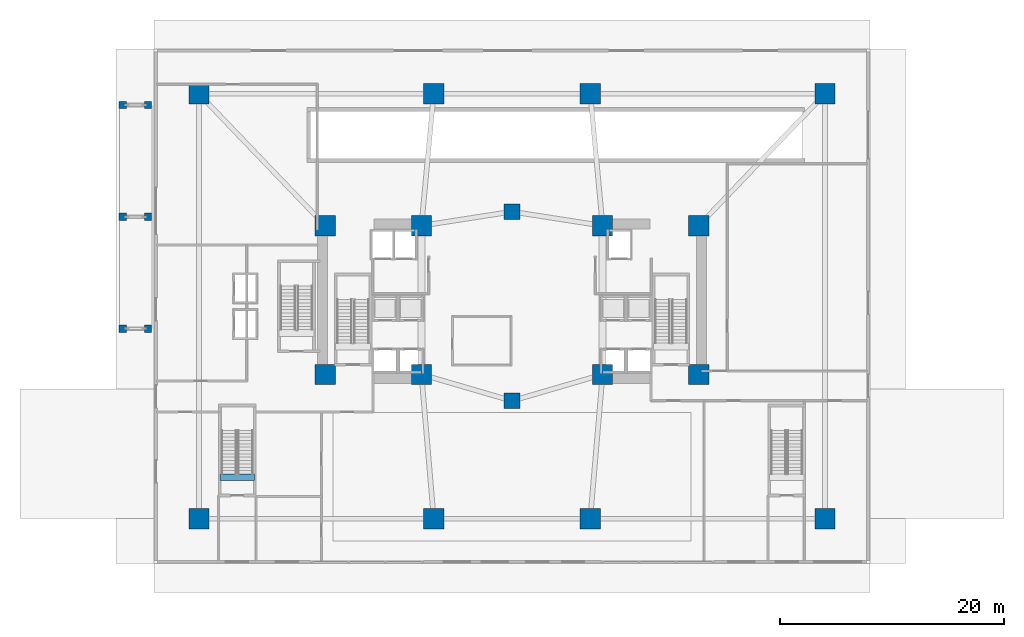
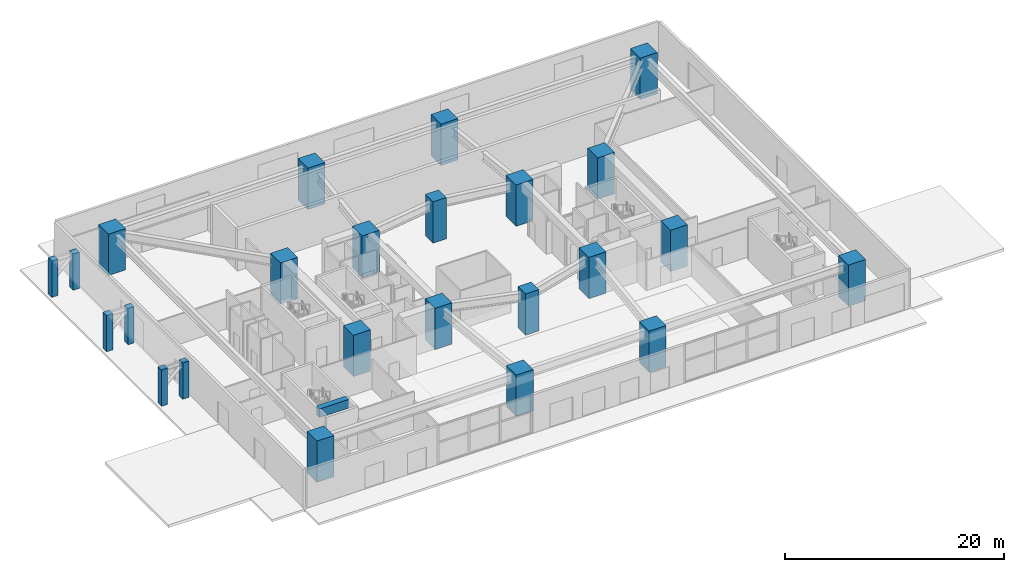
# One storey, part 1 of 18: 24 columns, 1 beam.
"""IFC4 building model written with IfcOpenShell, lengths in metres."""

from ifc_helpers import new_model, si_unit, direction, frame, origin, origin_2d, place, context, subcontext, project, spatial, rectangle, extrude, material, material_profile, profile_set, type_object, element, save


model = new_model("IFC4")

# Units and contexts
model_context = context("Model", 3, precision=1e-05, world=origin(), true_north=direction((0.0, 1.0)))
body_context = subcontext(model_context, "Body", "Model", "MODEL_VIEW")
ifc_project = project(units=[si_unit("LENGTHUNIT", "METRE"), si_unit("AREAUNIT", "SQUARE_METRE"), si_unit("VOLUMEUNIT", "CUBIC_METRE"), si_unit("PLANEANGLEUNIT", "RADIAN"), si_unit("MASSUNIT", "GRAM", prefix="KILO")], contexts=[model_context])

# Site, building, storey
site_placement = place(None, origin())
site = spatial("IfcSite", under=ifc_project, at=site_placement, CompositionType="ELEMENT")
building_placement = place(site_placement, origin())
building = spatial("IfcBuilding", under=site, at=building_placement, Name="Solvane Sanctuary Tower", CompositionType="ELEMENT")
storey_placement = place(building_placement, origin())
storey = spatial("IfcBuildingStorey", under=building, at=storey_placement, Name="L01", CompositionType="ELEMENT", Elevation=0.0)

# Columns
ifc_material_1 = material(Name="Concrete C50/60", Category="concrete")
ifc_material_profile_1 = material_profile(ifc_material_1, rectangle(XDim=0.64990234375, YDim=0.64990234375, at=origin_2d()), Name="RC650X650")
ifc_profile_set_1 = profile_set([ifc_material_profile_1], Name="Concrete C50/60")
column_type_1 = type_object("IfcColumnType", Name="Column C-COL-ARC RC650X650", PredefinedType="PILASTER", material=ifc_profile_set_1)
for number, where, z_axis, x_axis, name in (
    (1, (-2.800048828125, 21.0, 0.0), (0.0, 0.0, 1.0), (1.0, 0.0, 0.0), "L01 West Colonnade Outer Pilaster W1"),
    (2, (-0.550048828125, 21.0, 0.0), (0.0, 0.0, 1.0), (1.0, 0.0, 0.0), "L01 West Colonnade Inner Pilaster W1"),
    (3, (-2.800048828125, 31.0, 0.0), (0.0, 0.0, 1.0), (1.0, 0.0, 0.0), "L01 West Colonnade Outer Pilaster W2"),
    (4, (-0.550048828125, 31.0, 0.0), (0.0, 0.0, 1.0), (1.0, 0.0, 0.0), "L01 West Colonnade Inner Pilaster W2"),
    (5, (-2.800048828125, 41.0, 0.0), (0.0, 0.0, 1.0), (1.0, 0.0, 0.0), "L01 West Colonnade Outer Pilaster W3"),
    (6, (-0.550048828125, 41.0, 0.0), (0.0, 0.0, 1.0), (1.0, 0.0, 0.0), "L01 West Colonnade Inner Pilaster W3"),
):
    element("IfcColumn", number, at=place(storey_placement, frame(where, z_axis=z_axis, x_axis=x_axis)), inside=storey, type_object=column_type_1, Name=name, PredefinedType="PILASTER", context=body_context, shape_type="SweptSolid", body=[
        extrude(rectangle(XDim=0.64990234375, YDim=0.64990234375, at=origin_2d()), origin(), (0.0, 0.0, 1.0), 4.0400390625),
    ])
ifc_material_2 = material(Name="Concrete C70/85", Category="concrete")
ifc_material_profile_2 = material_profile(ifc_material_2, rectangle(XDim=1.800048828125, YDim=1.800048828125, at=origin_2d()), Name="RC1800X1800")
ifc_profile_set_2 = profile_set([ifc_material_profile_2], Name="Concrete C70/85")
column_type_2 = type_object("IfcColumnType", Name="Column C-MEGA RC1800X1800", PredefinedType="COLUMN", material=ifc_profile_set_2)
for number, where, z_axis, x_axis, name in (
    (7, (15.300048828125, 16.89990234375, 0.0), (0.0, 0.0, 1.0), (1.0, 0.0, 0.0), "L01 Core Corner Column CW1"),
    (8, (23.89990234375, 16.89990234375, 0.0), (0.0, 0.0, 1.0), (1.0, 0.0, 0.0), "L01 Core Corner Column CW2"),
    (9, (23.89990234375, 30.199951171875, 0.0), (0.0, 0.0, 1.0), (1.0, 0.0, 0.0), "L01 Core Corner Column CW3"),
    (10, (15.300048828125, 30.199951171875, 0.0), (0.0, 0.0, 1.0), (1.0, 0.0, 0.0), "L01 Core Corner Column CW4"),
    (11, (40.10009765625, 16.89990234375, 0.0), (0.0, 0.0, 1.0), (1.0, 0.0, 0.0), "L01 Core Corner Column CE1"),
    (12, (48.699951171875, 16.89990234375, 0.0), (0.0, 0.0, 1.0), (1.0, 0.0, 0.0), "L01 Core Corner Column CE2"),
    (13, (48.699951171875, 30.199951171875, 0.0), (0.0, 0.0, 1.0), (1.0, 0.0, 0.0), "L01 Core Corner Column CE3"),
    (14, (40.10009765625, 30.199951171875, 0.0), (0.0, 0.0, 1.0), (1.0, 0.0, 0.0), "L01 Core Corner Column CE4"),
    (15, (4.0, 4.0, 0.0), (0.0, 0.0, 1.0), (1.0, 0.0, 0.0), "L01 Podium Mega-Column MC1"),
    (16, (25.0, 4.0, 0.0), (0.0, 0.0, 1.0), (1.0, 0.0, 0.0), "L01 Podium Mega-Column MC2"),
    (17, (39.0, 4.0, 0.0), (0.0, 0.0, 1.0), (1.0, 0.0, 0.0), "L01 Podium Mega-Column MC3"),
    (18, (60.0, 4.0, 0.0), (0.0, 0.0, 1.0), (1.0, 0.0, 0.0), "L01 Podium Mega-Column MC4"),
    (19, (60.0, 42.0, 0.0), (0.0, 0.0, 1.0), (1.0, 0.0, 0.0), "L01 Podium Mega-Column MC5"),
    (20, (39.0, 42.0, 0.0), (0.0, 0.0, 1.0), (1.0, 0.0, 0.0), "L01 Podium Mega-Column MC6"),
    (21, (25.0, 42.0, 0.0), (0.0, 0.0, 1.0), (1.0, 0.0, 0.0), "L01 Podium Mega-Column MC7"),
    (22, (4.0, 42.0, 0.0), (0.0, 0.0, 1.0), (1.0, 0.0, 0.0), "L01 Podium Mega-Column MC8"),
):
    element("IfcColumn", number, at=place(storey_placement, frame(where, z_axis=z_axis, x_axis=x_axis)), inside=storey, type_object=column_type_2, Name=name, PredefinedType="COLUMN", context=body_context, shape_type="SweptSolid", body=[
        extrude(rectangle(XDim=1.800048828125, YDim=1.800048828125, at=origin_2d()), origin(), (0.0, 0.0, 1.0), 4.60009765625),
    ])
ifc_material_profile_3 = material_profile(ifc_material_2, rectangle(XDim=1.39990234375, YDim=1.39990234375, at=origin_2d()), Name="RC1400X1400")
ifc_profile_set_3 = profile_set([ifc_material_profile_3], Name="Concrete C70/85")
column_type_3 = type_object("IfcColumnType", Name="Column C-POD-INT RC1400X1400", PredefinedType="COLUMN", material=ifc_profile_set_3)
for number, where, z_axis, x_axis, name in (
    (23, (32.0, 14.5400390625, 0.0), (0.0, 0.0, 1.0), (1.0, 0.0, 0.0), "L01 Podium Transfer Spine Column PCS"),
    (24, (32.0, 31.4599609375, 0.0), (0.0, 0.0, 1.0), (1.0, 0.0, 0.0), "L01 Podium Transfer Spine Column PCN"),
):
    element("IfcColumn", number, at=place(storey_placement, frame(where, z_axis=z_axis, x_axis=x_axis)), inside=storey, type_object=column_type_3, Name=name, PredefinedType="COLUMN", context=body_context, shape_type="SweptSolid", body=[
        extrude(rectangle(XDim=1.39990234375, YDim=1.39990234375, at=origin_2d()), origin(), (0.0, 0.0, 1.0), 4.60009765625),
    ])

# Beam
ifc_material_profile_4 = material_profile(ifc_material_2, rectangle(XDim=0.60009765625, YDim=0.949951171875, at=origin_2d()), Name="RC600X950")
ifc_profile_set_4 = profile_set([ifc_material_profile_4], Name="Concrete C70/85")
beam_type = type_object("IfcBeamType", Name="Beam B-COUPLE RC600X950", PredefinedType="LINTEL", material=ifc_profile_set_4)
beam_placement = place(storey_placement, frame((5.8701171875, 7.69921875, 4.125), z_axis=(1.0, 0.0, 0.0), x_axis=(0.0, 1.0, 0.0)))
element("IfcBeam", 25, at=beam_placement, inside=storey, type_object=beam_type, Name="L01 ST-4 Stair Floor Landing Trimmer", PredefinedType="LINTEL", context=body_context, shape_type="SweptSolid", body=[
    extrude(rectangle(XDim=0.60009765625, YDim=0.949951171875, at=origin_2d()), origin(), (0.0, 0.0, 1.0), 3.119873046875),
])

save(model, "model.ifc")
